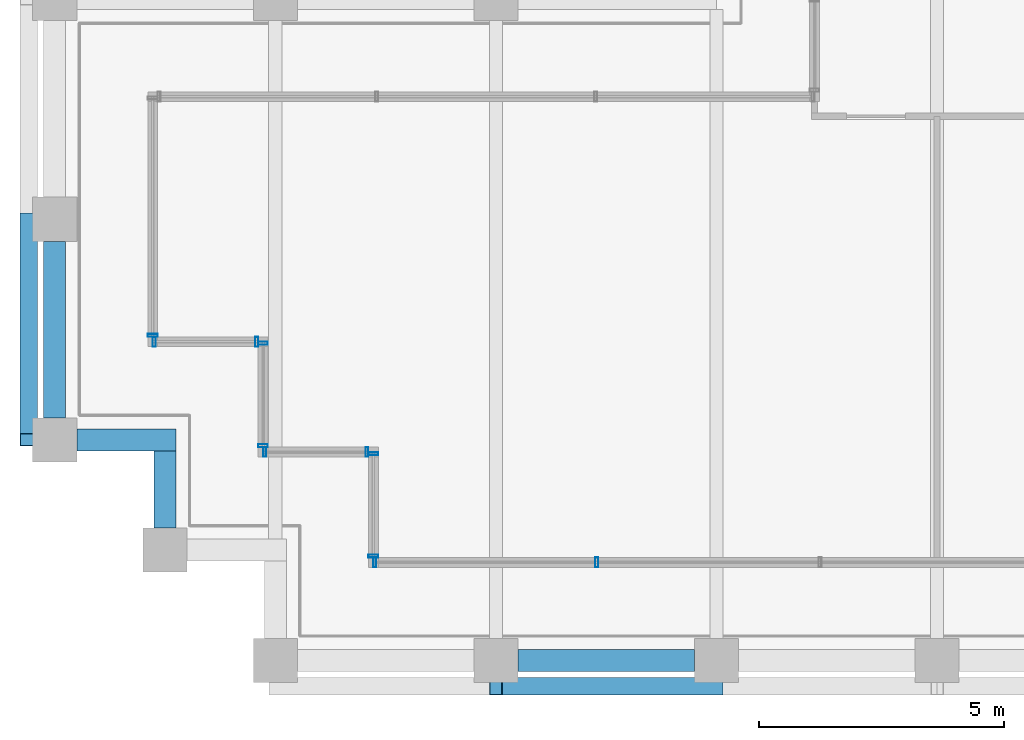
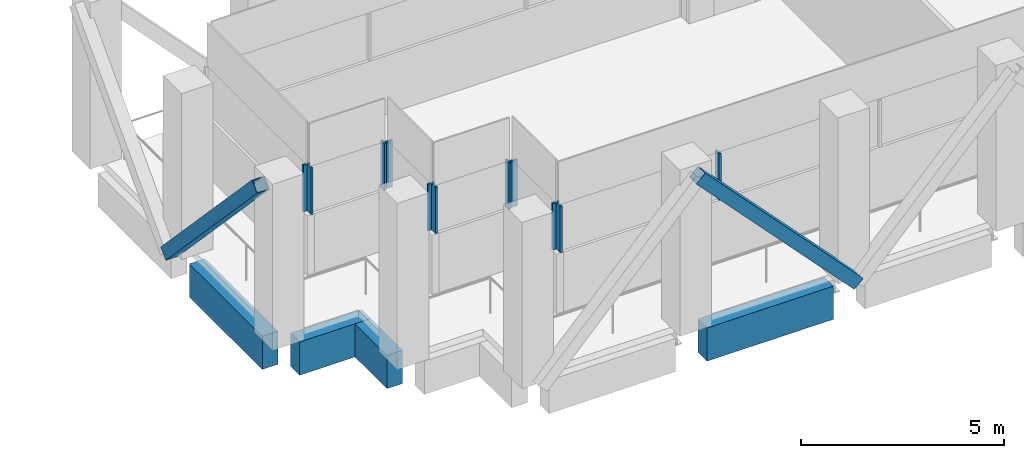
# One storey, part 2 of 34: 13 members, 4 beams, 6 elements without a shape of their own.
"""IFC4 building model written with IfcOpenShell, lengths in metres."""

import ifcopenshell
import ifcopenshell.guid

model = None  # the IFC model being written
_history = None  # IfcOwnerHistory: only IFC2X3 demands one
_inside = {}  # id of a spatial element -> (the spatial element, [elements in it])
_under = {}  # id of a project, library or spatial element -> (it, [spatial elements below it])
_declared = {}  # id of a project -> (the project, [libraries it declares])
_typed = {}  # id of a type object -> (the type object, [elements of that type])
_made_of = {}  # id of a material, layer set ... -> (it, [elements and type objects made of it])


def new_model(schema):
    """Start an empty IFC model of exactly this schema.

    Asked for "IFC4X3", IfcOpenShell would pick the latest addendum, in which some entities
    have other attributes; the version numbers below select the first issue.
    IFC2X3 requires an IfcOwnerHistory on every rooted entity: one is made here for all.
    """
    global model, _history
    if schema == "IFC4X3":
        model = ifcopenshell.file(schema_version=(4, 3, 0, 0))
    else:
        model = ifcopenshell.file(schema=schema)
    _inside.clear()
    _under.clear()
    _declared.clear()
    _typed.clear()
    _made_of.clear()
    _history = None
    if model.schema == "IFC2X3":
        org = make("IfcOrganization", Name="unknown")
        user = make(
            "IfcPersonAndOrganization",
            ThePerson=make("IfcPerson", FamilyName="unknown"),
            TheOrganization=org,
        )
        app = make(
            "IfcApplication",
            ApplicationDeveloper=org,
            Version="unknown",
            ApplicationFullName="unknown",
            ApplicationIdentifier="unknown",
        )
        _history = make(
            "IfcOwnerHistory",
            OwningUser=user,
            OwningApplication=app,
            ChangeAction="ADDED",
            CreationDate=0,
        )
    return model


def make(cls, **values):
    """One entity of the class cls with the attributes given. An attribute that is None is left unset."""
    return model.create_entity(
        cls, **{name: value for name, value in values.items() if value is not None}
    )


def rooted(cls, **values):
    """An entity with a GlobalId (a new one), such as an element, a storey or a relation."""
    return make(cls, GlobalId=ifcopenshell.guid.new(), OwnerHistory=_history, **values)


def si_unit(unit_type, name, prefix=None):
    """IfcSIUnit, for example si_unit("LENGTHUNIT", "METRE", prefix="MILLI")."""
    return make("IfcSIUnit", UnitType=unit_type, Prefix=prefix, Name=name)


def assignment(units):
    """IfcUnitAssignment: the units of a project."""
    return None if units is None else make("IfcUnitAssignment", Units=units)


def point(xyz):
    """IfcCartesianPoint."""
    return None if xyz is None else make("IfcCartesianPoint", Coordinates=xyz)


def direction(xyz):
    """IfcDirection."""
    return None if xyz is None else make("IfcDirection", DirectionRatios=xyz)


def frame(location, z_axis=None, x_axis=None):
    """IfcAxis2Placement3D, a coordinate frame: its origin and axes. An axis left out is left unset."""
    return make(
        "IfcAxis2Placement3D",
        Location=point(location),
        Axis=direction(z_axis),
        RefDirection=direction(x_axis),
    )


def frame_2d(location, x_axis=None):
    """IfcAxis2Placement2D, a coordinate frame in the plane: its origin and x axis."""
    return make(
        "IfcAxis2Placement2D", Location=point(location), RefDirection=direction(x_axis)
    )


def origin():
    """The frame at (0, 0, 0) with its axes left unset."""
    return frame((0.0, 0.0, 0.0))


def origin_2d():
    """The frame at (0, 0) in the plane with its x axis left unset."""
    return frame_2d((0.0, 0.0))


def place(relative_to, where):
    """IfcLocalPlacement: puts the frame where relative to a parent placement (None: the world)."""
    return make(
        "IfcLocalPlacement", PlacementRelTo=relative_to, RelativePlacement=where
    )


def context(
    kind, dimensions, precision=None, world=None, true_north=None, identifier=None
):
    """IfcGeometricRepresentationContext, for example the 3D "Model" context."""
    return make(
        "IfcGeometricRepresentationContext",
        ContextIdentifier=identifier,
        ContextType=kind,
        CoordinateSpaceDimension=dimensions,
        Precision=precision,
        WorldCoordinateSystem=world,
        TrueNorth=true_north,
    )


def subcontext(parent, identifier, kind, view, scale=None):
    """IfcGeometricRepresentationSubContext, for example "Body" below "Model"."""
    return make(
        "IfcGeometricRepresentationSubContext",
        ContextIdentifier=identifier,
        ContextType=kind,
        ParentContext=parent,
        TargetScale=scale,
        TargetView=view,
    )


def project(units=None, contexts=None):
    """IfcProject with its units and contexts."""
    return rooted(
        "IfcProject",
        Name="project",
        RepresentationContexts=contexts,
        UnitsInContext=assignment(units),
    )


def spatial(cls, under=None, at=None, **own):
    """A site, building, storey or space (cls), placed at a placement, below another one or the project."""
    s = rooted(cls, ObjectPlacement=at, **own)
    if under is not None:
        _under.setdefault(under.id(), (under, []))[1].append(s)
    return s


def profile(cls, at=None, kind="AREA", **sizes):
    """A parametric profile (cls). Its sizes go by their IFC names, for example OverallWidth=200.0."""
    return make(cls, ProfileType=kind, Position=at, **sizes)


def rectangle(**sizes):
    """IfcRectangleProfileDef."""
    return profile("IfcRectangleProfileDef", **sizes)


def hollow_rectangle(**sizes):
    """IfcRectangleHollowProfileDef."""
    return profile("IfcRectangleHollowProfileDef", **sizes)


def extrude(swept, where, along, depth):
    """IfcExtrudedAreaSolid: the profile swept, set in the frame where, extruded along a direction by depth."""
    return make(
        "IfcExtrudedAreaSolid",
        SweptArea=swept,
        Position=where,
        ExtrudedDirection=direction(along),
        Depth=depth,
    )


def shape(context_of_items, identifier, shape_type, items):
    """IfcShapeRepresentation: the items that make up one representation, for example the "Body"."""
    return make(
        "IfcShapeRepresentation",
        ContextOfItems=context_of_items,
        RepresentationIdentifier=identifier,
        RepresentationType=shape_type,
        Items=items,
    )


def material(Name=None, Category=None):
    """IfcMaterial."""
    return make("IfcMaterial", Name=Name, Category=Category)


def material_profile(
    of_material, cross_section, Name=None, Category=None, Priority=None
):
    """IfcMaterialProfile: a cross section and its material."""
    return make(
        "IfcMaterialProfile",
        Name=Name,
        Material=of_material,
        Profile=cross_section,
        Priority=Priority,
        Category=Category,
    )


def profile_set(profiles, Name=None, composite=None):
    """IfcMaterialProfileSet."""
    return make(
        "IfcMaterialProfileSet",
        Name=Name,
        MaterialProfiles=profiles,
        CompositeProfile=composite,
    )


def made_of(thing, what):
    """Note that an element or type object is made of a material, layer set ...; save() writes the relation."""
    if what is not None:
        _made_of.setdefault(what.id(), (what, []))[1].append(thing)
    return thing


def type_object(cls, material=None, **own):
    """A type object (cls), such as IfcWallType, which elements share."""
    return made_of(rooted(cls, **own), material)


def element(
    cls,
    number,
    at=None,
    inside=None,
    cuts=None,
    type_object=None,
    material=None,
    context=None,
    identifier="Body",
    shape_type=None,
    held_by="IfcProductDefinitionShape",
    body=None,
    shapes=None,
    **own,
):
    """One element of the class cls, such as IfcWall. Its Tag is "e" and its number.

    at: its placement. inside: the storey or other place that contains it. cuts: it is an
    opening in that element (IfcRelVoidsElement). A single representation is given by context,
    identifier, shape_type and body (its items); several are given by shapes. held_by: the class
    of the entity that holds the representations. save() writes the other relations.
    """
    e = rooted(cls, Tag="e%d" % number, ObjectPlacement=at, **own)
    if body is not None:
        shapes = [shape(context, identifier, shape_type, body)]
    if shapes is not None:
        e.Representation = make(held_by, Representations=shapes)
    if inside is not None:
        _inside.setdefault(inside.id(), (inside, []))[1].append(e)
    if cuts is not None:
        rooted(
            "IfcRelVoidsElement", RelatingBuildingElement=cuts, RelatedOpeningElement=e
        )
    if type_object is not None:
        _typed.setdefault(type_object.id(), (type_object, []))[1].append(e)
    return made_of(e, material)


def aggregate(whole, parts):
    """IfcRelAggregates: a whole, such as a stair, and the parts it consists of."""
    return rooted("IfcRelAggregates", RelatingObject=whole, RelatedObjects=parts)


def save(model, path):
    """Write the relations noted so far, then the file.

    IfcRelAggregates (storeys below a building ...), IfcRelContainedInSpatialStructure (elements
    in a storey), IfcRelDefinesByType, IfcRelAssociatesMaterial and IfcRelDeclares: one each for
    every whole, place, type object, material and project.
    """
    for whole, parts in _under.values():
        aggregate(whole, parts)
    for where, things in _inside.values():
        rooted(
            "IfcRelContainedInSpatialStructure",
            RelatedElements=things,
            RelatingStructure=where,
        )
    for kind, things in _typed.values():
        rooted("IfcRelDefinesByType", RelatedObjects=things, RelatingType=kind)
    for what, things in _made_of.values():
        rooted("IfcRelAssociatesMaterial", RelatedObjects=things, RelatingMaterial=what)
    for by, libraries in _declared.values():
        rooted("IfcRelDeclares", RelatingContext=by, RelatedDefinitions=libraries)
    model.write(path)


model = new_model("IFC4")

# Units and contexts
model_context = context("Model", 3, precision=1e-05, world=origin(), true_north=direction((0.0, 1.0)))
body_context = subcontext(model_context, "Body", "Model", "MODEL_VIEW")
ifc_project = project(units=[si_unit("LENGTHUNIT", "METRE"), si_unit("AREAUNIT", "SQUARE_METRE"), si_unit("VOLUMEUNIT", "CUBIC_METRE"), si_unit("PLANEANGLEUNIT", "RADIAN"), si_unit("MASSUNIT", "GRAM", prefix="KILO")], contexts=[model_context])

# Site, building, storey
site_placement = place(None, origin())
site = spatial("IfcSite", under=ifc_project, at=site_placement, CompositionType="ELEMENT")
building_placement = place(site_placement, origin())
building = spatial("IfcBuilding", under=site, at=building_placement, Name="Altepetl Exchange Towers", CompositionType="ELEMENT")
storey_placement = place(building_placement, frame((0.0, 0.0, 190.60009765625)))
storey = spatial("IfcBuildingStorey", under=building, at=storey_placement, Name="L48 Refuge", CompositionType="ELEMENT", Elevation=190.60009765625)

# Members
ifc_material_1 = material(Name="Steel S355", Category="steel")
ifc_material_profile_1 = material_profile(ifc_material_1, hollow_rectangle(XDim=0.35595703125, YDim=0.35595703125, WallThickness=0.014892578125, at=origin_2d()), Name="HSS356X356X15.9")
ifc_profile_set_1 = profile_set([ifc_material_profile_1], Name="Steel S355")
member_type_1 = type_object("IfcMemberType", Name="Belt diagonal HSS356X356X15.9", PredefinedType="BRACE", material=ifc_profile_set_1)
for number, where, z_axis, x_axis, name in (
    (1, (36.0, 26.469970703125, 4.75), (0.687744647911, 0.0, -0.725952683906), (0.0, 1.0, 0.0), "brc:A:L48:001"),
    (2, (26.469970703125, 36.0, 0.0), (0.0, -0.687744647911, 0.725952683906), (1.0, 0.0, 0.0), "brc:A:L48:024"),
):
    element("IfcMember", number, at=place(storey_placement, frame(where, z_axis=z_axis, x_axis=x_axis)), inside=storey, type_object=member_type_1, Name=name, PredefinedType="BRACE", context=body_context, shape_type="SweptSolid", body=[
        extrude(hollow_rectangle(XDim=0.35595703125, YDim=0.35595703125, WallThickness=0.014892578125, at=origin_2d()), origin(), (0.0, 0.0, 1.0), 6.543212890625),
    ])

# Curtain wall, member
ifc_material_2 = material(Name="Aluminium 6063-T6 glazing", Category="aluminium")
curtain_wall_type = type_object("IfcCurtainWallType", Name="Refuge slit glazing system", PredefinedType="NOTDEFINED", material=ifc_material_2)
curtain_wall_1_placement = place(storey_placement, origin())
curtain_wall_1 = element("IfcCurtainWall", 3, at=curtain_wall_1_placement, inside=storey, type_object=curtain_wall_type, Name="CW3 run", PredefinedType="NOTDEFINED")
ifc_material_3 = material(Name="Aluminium 6063-T6", Category="aluminium")
ifc_material_profile_2 = material_profile(ifc_material_3, hollow_rectangle(XDim=0.06005859375, YDim=0.199951171875, WallThickness=0.0029296875, at=origin_2d()), Name="Mullion 60x200 aluminium")
ifc_profile_set_2 = profile_set([ifc_material_profile_2], Name="Aluminium 6063-T6")
member_type_2 = type_object("IfcMemberType", Name="Mullion 60x200 aluminium", PredefinedType="MULLION", material=ifc_profile_set_2)
member_1_placement = place(storey_placement, frame((29.0, 33.6298828125, 1.7998046875), z_axis=(0.0, 0.0, 1.0), x_axis=(0.0, -1.0, 0.0)))
member_1 = element("IfcMember", 4, at=member_1_placement, type_object=member_type_2, Name="MU2 mullion", PredefinedType="MULLION", context=body_context, shape_type="SweptSolid", body=[
    extrude(hollow_rectangle(XDim=0.06005859375, YDim=0.199951171875, WallThickness=0.0029296875, at=origin_2d()), origin(), (0.0, 0.0, 1.0), 1.400146484375),
])
aggregate(curtain_wall_1, [member_1])

# Curtain wall, members
curtain_wall_2_placement = place(storey_placement, origin())
curtain_wall_2 = element("IfcCurtainWall", 5, at=curtain_wall_2_placement, inside=storey, type_object=curtain_wall_type, Name="CW3 run", PredefinedType="NOTDEFINED")
member_2_placement = place(storey_placement, frame((29.030029296875, 33.5, 1.7998046875)))
member_2 = element("IfcMember", 6, at=member_2_placement, type_object=member_type_2, Name="MU2 mullion", PredefinedType="MULLION", context=body_context, shape_type="SweptSolid", body=[
    extrude(hollow_rectangle(XDim=0.06005859375, YDim=0.199951171875, WallThickness=0.0029296875, at=origin_2d()), origin(), (0.0, 0.0, 1.0), 1.400146484375),
])
member_3_placement = place(storey_placement, frame((31.1201171875, 33.5, 1.7998046875)))
member_3 = element("IfcMember", 7, at=member_3_placement, type_object=member_type_2, Name="MU2 mullion", PredefinedType="MULLION", context=body_context, shape_type="SweptSolid", body=[
    extrude(hollow_rectangle(XDim=0.06005859375, YDim=0.199951171875, WallThickness=0.0029296875, at=origin_2d()), origin(), (0.0, 0.0, 1.0), 1.400146484375),
])
aggregate(curtain_wall_2, [member_2, member_3])

curtain_wall_3_placement = place(storey_placement, origin())
curtain_wall_3 = element("IfcCurtainWall", 8, at=curtain_wall_3_placement, inside=storey, type_object=curtain_wall_type, Name="CW3 run", PredefinedType="NOTDEFINED")
member_4_placement = place(storey_placement, frame((31.25, 33.469970703125, 1.7998046875), z_axis=(0.0, 0.0, 1.0), x_axis=(0.0, -1.0, 0.0)))
member_4 = element("IfcMember", 9, at=member_4_placement, type_object=member_type_2, Name="MU2 mullion", PredefinedType="MULLION", context=body_context, shape_type="SweptSolid", body=[
    extrude(hollow_rectangle(XDim=0.06005859375, YDim=0.199951171875, WallThickness=0.0029296875, at=origin_2d()), origin(), (0.0, 0.0, 1.0), 1.400146484375),
])
member_5_placement = place(storey_placement, frame((31.25, 31.3798828125, 1.7998046875), z_axis=(0.0, 0.0, 1.0), x_axis=(0.0, -1.0, 0.0)))
member_5 = element("IfcMember", 10, at=member_5_placement, type_object=member_type_2, Name="MU2 mullion", PredefinedType="MULLION", context=body_context, shape_type="SweptSolid", body=[
    extrude(hollow_rectangle(XDim=0.06005859375, YDim=0.199951171875, WallThickness=0.0029296875, at=origin_2d()), origin(), (0.0, 0.0, 1.0), 1.400146484375),
])
aggregate(curtain_wall_3, [member_4, member_5])

curtain_wall_4_placement = place(storey_placement, origin())
curtain_wall_4 = element("IfcCurtainWall", 11, at=curtain_wall_4_placement, inside=storey, type_object=curtain_wall_type, Name="CW3 run", PredefinedType="NOTDEFINED")
member_6_placement = place(storey_placement, frame((31.280029296875, 31.25, 1.7998046875)))
member_6 = element("IfcMember", 12, at=member_6_placement, type_object=member_type_2, Name="MU2 mullion", PredefinedType="MULLION", context=body_context, shape_type="SweptSolid", body=[
    extrude(hollow_rectangle(XDim=0.06005859375, YDim=0.199951171875, WallThickness=0.0029296875, at=origin_2d()), origin(), (0.0, 0.0, 1.0), 1.400146484375),
])
member_7_placement = place(storey_placement, frame((33.3701171875, 31.25, 1.7998046875)))
member_7 = element("IfcMember", 13, at=member_7_placement, type_object=member_type_2, Name="MU2 mullion", PredefinedType="MULLION", context=body_context, shape_type="SweptSolid", body=[
    extrude(hollow_rectangle(XDim=0.06005859375, YDim=0.199951171875, WallThickness=0.0029296875, at=origin_2d()), origin(), (0.0, 0.0, 1.0), 1.400146484375),
])
aggregate(curtain_wall_4, [member_6, member_7])

curtain_wall_5_placement = place(storey_placement, origin())
curtain_wall_5 = element("IfcCurtainWall", 14, at=curtain_wall_5_placement, inside=storey, type_object=curtain_wall_type, Name="CW3 run", PredefinedType="NOTDEFINED")
member_8_placement = place(storey_placement, frame((33.5, 31.219970703125, 1.7998046875), z_axis=(0.0, 0.0, 1.0), x_axis=(0.0, -1.0, 0.0)))
member_8 = element("IfcMember", 15, at=member_8_placement, type_object=member_type_2, Name="MU2 mullion", PredefinedType="MULLION", context=body_context, shape_type="SweptSolid", body=[
    extrude(hollow_rectangle(XDim=0.06005859375, YDim=0.199951171875, WallThickness=0.0029296875, at=origin_2d()), origin(), (0.0, 0.0, 1.0), 1.400146484375),
])
member_9_placement = place(storey_placement, frame((33.5, 29.1298828125, 1.7998046875), z_axis=(0.0, 0.0, 1.0), x_axis=(0.0, -1.0, 0.0)))
member_9 = element("IfcMember", 16, at=member_9_placement, type_object=member_type_2, Name="MU2 mullion", PredefinedType="MULLION", context=body_context, shape_type="SweptSolid", body=[
    extrude(hollow_rectangle(XDim=0.06005859375, YDim=0.199951171875, WallThickness=0.0029296875, at=origin_2d()), origin(), (0.0, 0.0, 1.0), 1.400146484375),
])
aggregate(curtain_wall_5, [member_8, member_9])

curtain_wall_6_placement = place(storey_placement, origin())
curtain_wall_6 = element("IfcCurtainWall", 17, at=curtain_wall_6_placement, inside=storey, type_object=curtain_wall_type, Name="CW3 run", PredefinedType="NOTDEFINED")
member_10_placement = place(storey_placement, frame((33.530029296875, 29.0, 1.7998046875)))
member_10 = element("IfcMember", 18, at=member_10_placement, type_object=member_type_2, Name="MU2 mullion", PredefinedType="MULLION", context=body_context, shape_type="SweptSolid", body=[
    extrude(hollow_rectangle(XDim=0.06005859375, YDim=0.199951171875, WallThickness=0.0029296875, at=origin_2d()), origin(), (0.0, 0.0, 1.0), 1.400146484375),
])
member_11_placement = place(storey_placement, frame((38.05712890625, 29.0, 1.7998046875)))
member_11 = element("IfcMember", 19, at=member_11_placement, type_object=member_type_2, Name="MU2 mullion", PredefinedType="MULLION", context=body_context, shape_type="SweptSolid", body=[
    extrude(hollow_rectangle(XDim=0.06005859375, YDim=0.199951171875, WallThickness=0.0029296875, at=origin_2d()), origin(), (0.0, 0.0, 1.0), 1.400146484375),
])
aggregate(curtain_wall_6, [member_10, member_11])

# Beams
ifc_material_4 = material(Name="Concrete C50/60 precast with cantera blanca facing", Category="concrete")
ifc_material_profile_3 = material_profile(ifc_material_4, rectangle(XDim=0.449951171875, YDim=1.0, at=origin_2d()), Name="450 x 1000")
ifc_profile_set_3 = profile_set([ifc_material_profile_3], Name="Concrete C50/60 precast with cantera blanca facing")
beam_type = type_object("IfcBeamType", Name="Spandrel beam 450x1000 cantera blanca", PredefinedType="SPANDREL", material=ifc_profile_set_3)
for number, where, z_axis, x_axis, name in (
    (20, (36.449951171875, 27.0, -0.7001953125), (1.0, 0.0, 0.0), (0.0, 1.0, 0.0), "sp:A:L48:001"),
    (21, (27.0, 35.550048828125, -0.7001953125), (0.0, -1.0, 0.0), (1.0, 0.0, 0.0), "sp:A:L48:037"),
):
    element("IfcBeam", number, at=place(storey_placement, frame(where, z_axis=z_axis, x_axis=x_axis)), inside=storey, type_object=beam_type, Name=name, PredefinedType="SPANDREL", context=body_context, shape_type="SweptSolid", body=[
        extrude(rectangle(XDim=0.449951171875, YDim=1.0, at=origin_2d()), origin(), (0.0, 0.0, 1.0), 3.60009765625),
    ])
beam_1_placement = place(storey_placement, frame((27.449951171875, 31.5, -0.7001953125), z_axis=(1.0, 0.0, 0.0), x_axis=(0.0, 1.0, 0.0)))
element("IfcBeam", 22, at=beam_1_placement, inside=storey, type_object=beam_type, Name="sp:A:L48:038", PredefinedType="SPANDREL", context=body_context, shape_type="SweptSolid", body=[
    extrude(rectangle(XDim=0.449951171875, YDim=1.0, at=origin_2d()), origin(), (0.0, 0.0, 1.0), 2.025146484375),
])
beam_2_placement = place(storey_placement, frame((29.25, 31.27490234375, -0.7001953125), z_axis=(0.0, -1.0, 0.0), x_axis=(1.0, 0.0, 0.0)))
element("IfcBeam", 23, at=beam_2_placement, inside=storey, type_object=beam_type, Name="sp:A:L48:039", PredefinedType="SPANDREL", context=body_context, shape_type="SweptSolid", body=[
    extrude(rectangle(XDim=0.449951171875, YDim=1.0, at=origin_2d()), origin(), (0.0, 0.0, 1.0), 1.574951171875),
])

save(model, "model.ifc")
